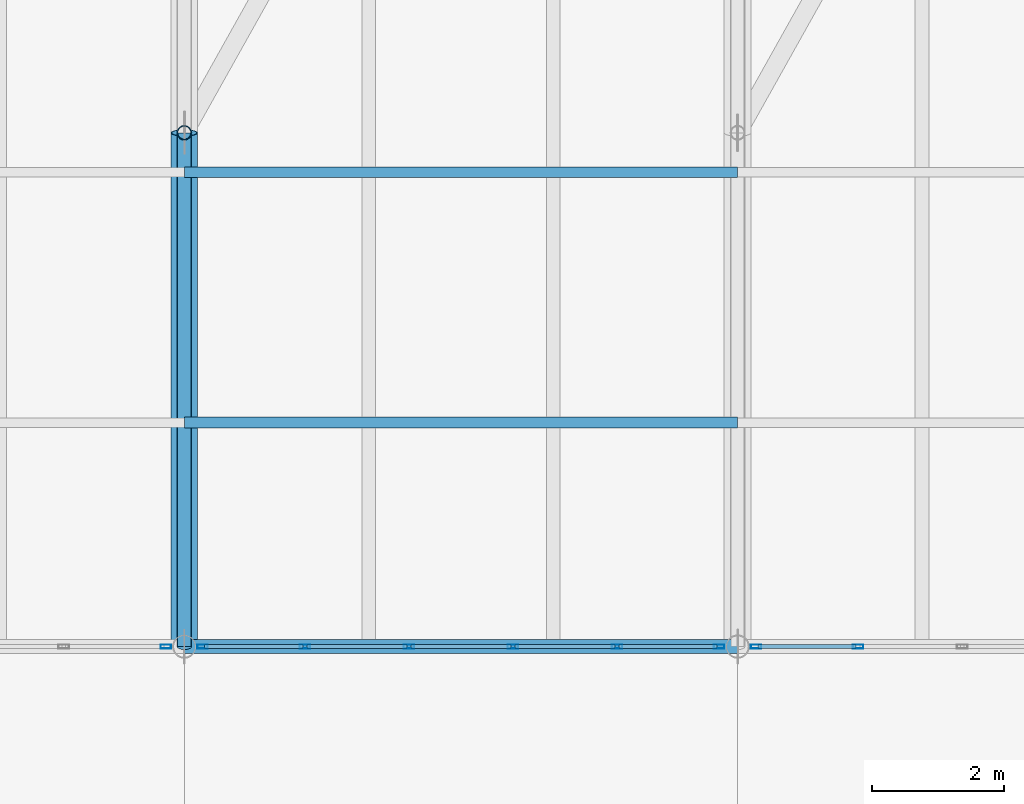
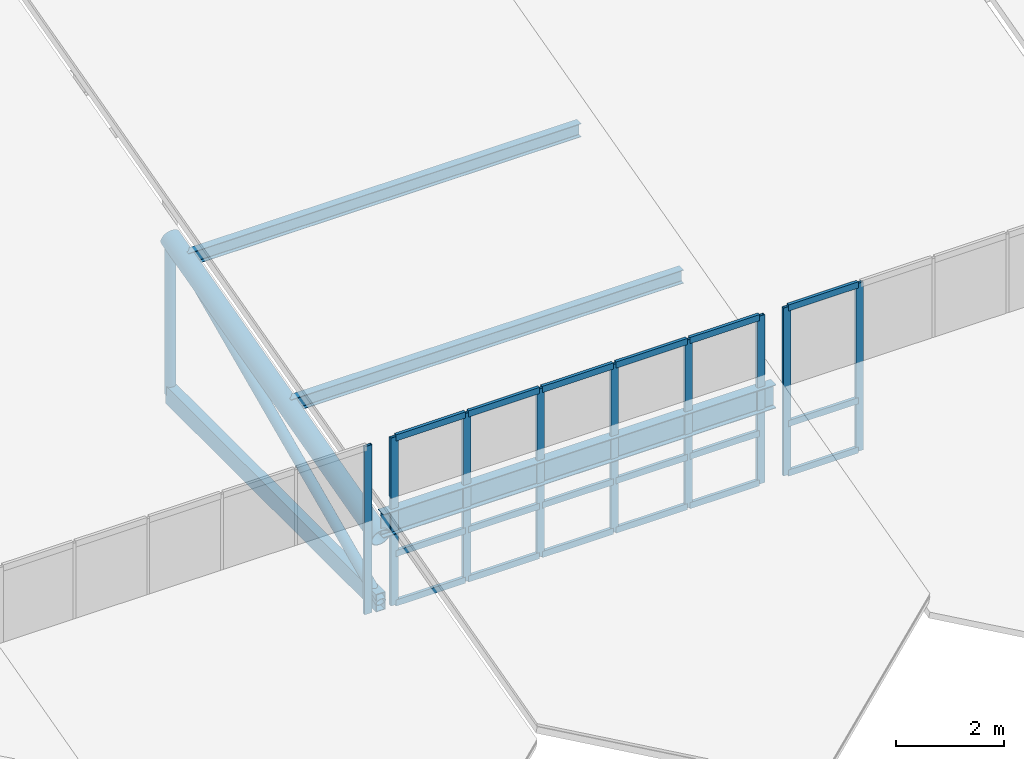
# One storey, part 9 of 43: 33 members, 1 beam, 3 elements without a shape of their own.
"""IFC4 building model written with IfcOpenShell, lengths in metres."""

import ifcopenshell
import ifcopenshell.guid

model = None  # the IFC model being written
_history = None  # IfcOwnerHistory: only IFC2X3 demands one
_inside = {}  # id of a spatial element -> (the spatial element, [elements in it])
_under = {}  # id of a project, library or spatial element -> (it, [spatial elements below it])
_declared = {}  # id of a project -> (the project, [libraries it declares])
_typed = {}  # id of a type object -> (the type object, [elements of that type])
_made_of = {}  # id of a material, layer set ... -> (it, [elements and type objects made of it])


def new_model(schema):
    """Start an empty IFC model of exactly this schema.

    Asked for "IFC4X3", IfcOpenShell would pick the latest addendum, in which some entities
    have other attributes; the version numbers below select the first issue.
    IFC2X3 requires an IfcOwnerHistory on every rooted entity: one is made here for all.
    """
    global model, _history
    if schema == "IFC4X3":
        model = ifcopenshell.file(schema_version=(4, 3, 0, 0))
    else:
        model = ifcopenshell.file(schema=schema)
    _inside.clear()
    _under.clear()
    _declared.clear()
    _typed.clear()
    _made_of.clear()
    _history = None
    if model.schema == "IFC2X3":
        org = make("IfcOrganization", Name="unknown")
        user = make(
            "IfcPersonAndOrganization",
            ThePerson=make("IfcPerson", FamilyName="unknown"),
            TheOrganization=org,
        )
        app = make(
            "IfcApplication",
            ApplicationDeveloper=org,
            Version="unknown",
            ApplicationFullName="unknown",
            ApplicationIdentifier="unknown",
        )
        _history = make(
            "IfcOwnerHistory",
            OwningUser=user,
            OwningApplication=app,
            ChangeAction="ADDED",
            CreationDate=0,
        )
    return model


def make(cls, **values):
    """One entity of the class cls with the attributes given. An attribute that is None is left unset."""
    return model.create_entity(
        cls, **{name: value for name, value in values.items() if value is not None}
    )


def rooted(cls, **values):
    """An entity with a GlobalId (a new one), such as an element, a storey or a relation."""
    return make(cls, GlobalId=ifcopenshell.guid.new(), OwnerHistory=_history, **values)


def si_unit(unit_type, name, prefix=None):
    """IfcSIUnit, for example si_unit("LENGTHUNIT", "METRE", prefix="MILLI")."""
    return make("IfcSIUnit", UnitType=unit_type, Prefix=prefix, Name=name)


def assignment(units):
    """IfcUnitAssignment: the units of a project."""
    return None if units is None else make("IfcUnitAssignment", Units=units)


def point(xyz):
    """IfcCartesianPoint."""
    return None if xyz is None else make("IfcCartesianPoint", Coordinates=xyz)


def direction(xyz):
    """IfcDirection."""
    return None if xyz is None else make("IfcDirection", DirectionRatios=xyz)


def frame(location, z_axis=None, x_axis=None):
    """IfcAxis2Placement3D, a coordinate frame: its origin and axes. An axis left out is left unset."""
    return make(
        "IfcAxis2Placement3D",
        Location=point(location),
        Axis=direction(z_axis),
        RefDirection=direction(x_axis),
    )


def frame_2d(location, x_axis=None):
    """IfcAxis2Placement2D, a coordinate frame in the plane: its origin and x axis."""
    return make(
        "IfcAxis2Placement2D", Location=point(location), RefDirection=direction(x_axis)
    )


def origin():
    """The frame at (0, 0, 0) with its axes left unset."""
    return frame((0.0, 0.0, 0.0))


def origin_2d():
    """The frame at (0, 0) in the plane with its x axis left unset."""
    return frame_2d((0.0, 0.0))


def place(relative_to, where):
    """IfcLocalPlacement: puts the frame where relative to a parent placement (None: the world)."""
    return make(
        "IfcLocalPlacement", PlacementRelTo=relative_to, RelativePlacement=where
    )


def context(
    kind, dimensions, precision=None, world=None, true_north=None, identifier=None
):
    """IfcGeometricRepresentationContext, for example the 3D "Model" context."""
    return make(
        "IfcGeometricRepresentationContext",
        ContextIdentifier=identifier,
        ContextType=kind,
        CoordinateSpaceDimension=dimensions,
        Precision=precision,
        WorldCoordinateSystem=world,
        TrueNorth=true_north,
    )


def subcontext(parent, identifier, kind, view, scale=None):
    """IfcGeometricRepresentationSubContext, for example "Body" below "Model"."""
    return make(
        "IfcGeometricRepresentationSubContext",
        ContextIdentifier=identifier,
        ContextType=kind,
        ParentContext=parent,
        TargetScale=scale,
        TargetView=view,
    )


def project(units=None, contexts=None):
    """IfcProject with its units and contexts."""
    return rooted(
        "IfcProject",
        Name="project",
        RepresentationContexts=contexts,
        UnitsInContext=assignment(units),
    )


def spatial(cls, under=None, at=None, **own):
    """A site, building, storey or space (cls), placed at a placement, below another one or the project."""
    s = rooted(cls, ObjectPlacement=at, **own)
    if under is not None:
        _under.setdefault(under.id(), (under, []))[1].append(s)
    return s


def profile(cls, at=None, kind="AREA", **sizes):
    """A parametric profile (cls). Its sizes go by their IFC names, for example OverallWidth=200.0."""
    return make(cls, ProfileType=kind, Position=at, **sizes)


def hollow_rectangle(**sizes):
    """IfcRectangleHollowProfileDef."""
    return profile("IfcRectangleHollowProfileDef", **sizes)


def hollow_circle(**sizes):
    """IfcCircleHollowProfileDef."""
    return profile("IfcCircleHollowProfileDef", **sizes)


def i_section(**sizes):
    """IfcIShapeProfileDef."""
    return profile("IfcIShapeProfileDef", **sizes)


def extrude(swept, where, along, depth):
    """IfcExtrudedAreaSolid: the profile swept, set in the frame where, extruded along a direction by depth."""
    return make(
        "IfcExtrudedAreaSolid",
        SweptArea=swept,
        Position=where,
        ExtrudedDirection=direction(along),
        Depth=depth,
    )


def shape(context_of_items, identifier, shape_type, items):
    """IfcShapeRepresentation: the items that make up one representation, for example the "Body"."""
    return make(
        "IfcShapeRepresentation",
        ContextOfItems=context_of_items,
        RepresentationIdentifier=identifier,
        RepresentationType=shape_type,
        Items=items,
    )


def material(Name=None, Category=None):
    """IfcMaterial."""
    return make("IfcMaterial", Name=Name, Category=Category)


def layer(
    of_material, thickness, ventilated=None, Name=None, Category=None, Priority=None
):
    """IfcMaterialLayer: one layer of a wall or slab, of a material (None: an air gap)."""
    return make(
        "IfcMaterialLayer",
        Material=of_material,
        LayerThickness=thickness,
        IsVentilated=ventilated,
        Name=Name,
        Category=Category,
        Priority=Priority,
    )


def layer_set(layers, Name=None):
    """IfcMaterialLayerSet."""
    return make("IfcMaterialLayerSet", MaterialLayers=layers, LayerSetName=Name)


def material_profile(
    of_material, cross_section, Name=None, Category=None, Priority=None
):
    """IfcMaterialProfile: a cross section and its material."""
    return make(
        "IfcMaterialProfile",
        Name=Name,
        Material=of_material,
        Profile=cross_section,
        Priority=Priority,
        Category=Category,
    )


def profile_set(profiles, Name=None, composite=None):
    """IfcMaterialProfileSet."""
    return make(
        "IfcMaterialProfileSet",
        Name=Name,
        MaterialProfiles=profiles,
        CompositeProfile=composite,
    )


def made_of(thing, what):
    """Note that an element or type object is made of a material, layer set ...; save() writes the relation."""
    if what is not None:
        _made_of.setdefault(what.id(), (what, []))[1].append(thing)
    return thing


def type_object(cls, material=None, **own):
    """A type object (cls), such as IfcWallType, which elements share."""
    return made_of(rooted(cls, **own), material)


def element(
    cls,
    number,
    at=None,
    inside=None,
    cuts=None,
    type_object=None,
    material=None,
    context=None,
    identifier="Body",
    shape_type=None,
    held_by="IfcProductDefinitionShape",
    body=None,
    shapes=None,
    **own,
):
    """One element of the class cls, such as IfcWall. Its Tag is "e" and its number.

    at: its placement. inside: the storey or other place that contains it. cuts: it is an
    opening in that element (IfcRelVoidsElement). A single representation is given by context,
    identifier, shape_type and body (its items); several are given by shapes. held_by: the class
    of the entity that holds the representations. save() writes the other relations.
    """
    e = rooted(cls, Tag="e%d" % number, ObjectPlacement=at, **own)
    if body is not None:
        shapes = [shape(context, identifier, shape_type, body)]
    if shapes is not None:
        e.Representation = make(held_by, Representations=shapes)
    if inside is not None:
        _inside.setdefault(inside.id(), (inside, []))[1].append(e)
    if cuts is not None:
        rooted(
            "IfcRelVoidsElement", RelatingBuildingElement=cuts, RelatedOpeningElement=e
        )
    if type_object is not None:
        _typed.setdefault(type_object.id(), (type_object, []))[1].append(e)
    return made_of(e, material)


def aggregate(whole, parts):
    """IfcRelAggregates: a whole, such as a stair, and the parts it consists of."""
    return rooted("IfcRelAggregates", RelatingObject=whole, RelatedObjects=parts)


def save(model, path):
    """Write the relations noted so far, then the file.

    IfcRelAggregates (storeys below a building ...), IfcRelContainedInSpatialStructure (elements
    in a storey), IfcRelDefinesByType, IfcRelAssociatesMaterial and IfcRelDeclares: one each for
    every whole, place, type object, material and project.
    """
    for whole, parts in _under.values():
        aggregate(whole, parts)
    for where, things in _inside.values():
        rooted(
            "IfcRelContainedInSpatialStructure",
            RelatedElements=things,
            RelatingStructure=where,
        )
    for kind, things in _typed.values():
        rooted("IfcRelDefinesByType", RelatedObjects=things, RelatingType=kind)
    for what, things in _made_of.values():
        rooted("IfcRelAssociatesMaterial", RelatedObjects=things, RelatingMaterial=what)
    for by, libraries in _declared.values():
        rooted("IfcRelDeclares", RelatingContext=by, RelatedDefinitions=libraries)
    model.write(path)


model = new_model("IFC4")

# Units and contexts
model_context = context("Model", 3, precision=1e-05, world=origin(), true_north=direction((0.0, 1.0)))
body_context = subcontext(model_context, "Body", "Model", "MODEL_VIEW")
ifc_project = project(units=[si_unit("LENGTHUNIT", "METRE"), si_unit("AREAUNIT", "SQUARE_METRE"), si_unit("VOLUMEUNIT", "CUBIC_METRE"), si_unit("PLANEANGLEUNIT", "RADIAN"), si_unit("MASSUNIT", "GRAM", prefix="KILO")], contexts=[model_context])

# Site, building, storey
site_placement = place(None, origin())
site = spatial("IfcSite", under=ifc_project, at=site_placement, CompositionType="ELEMENT")
building_placement = place(site_placement, origin())
building = spatial("IfcBuilding", under=site, at=building_placement, Name="Selat Folded Stagehouse", CompositionType="ELEMENT")
storey_placement = place(building_placement, frame((0.0, 0.0, 32.39990234375)))
storey = spatial("IfcBuildingStorey", under=building, at=storey_placement, Name="RF", CompositionType="ELEMENT", Elevation=32.39990234375)

# Beam
ifc_material_1 = material(Name="Steel S355", Category="steel")
ifc_material_profile_1 = material_profile(ifc_material_1, i_section(OverallWidth=0.209228515625, OverallDepth=0.533203125, WebThickness=0.010009765625, FlangeThickness=0.015625, FilletRadius=0.0126953125, at=origin_2d()), Name="UKB 533x210x92")
ifc_profile_set_1 = profile_set([ifc_material_profile_1], Name="Steel S355")
beam_type = type_object("IfcBeamType", Name="BM-GIRD-533x210x92", PredefinedType="BEAM", material=ifc_profile_set_1)
beam_placement = place(storey_placement, frame((25.199951171875, 23.39990234375, 1.9208984375), z_axis=(1.0, 0.0, 0.0), x_axis=(0.0, 1.0, 0.0)))
element("IfcBeam", 1, at=beam_placement, inside=storey, type_object=beam_type, Name="RF bay 3 S roof bearer beam", PredefinedType="BEAM", context=body_context, shape_type="SweptSolid", body=[
    extrude(i_section(OverallWidth=0.209228515625, OverallDepth=0.533203125, WebThickness=0.010009765625, FlangeThickness=0.015625, FilletRadius=0.0126953125, at=origin_2d()), origin(), (0.0, 0.0, 1.0), 8.400146484375),
])

# Curtain wall, member
ifc_material_2 = material(Name="Aluminium 6063-T6", Category="aluminium")
ifc_layer = layer(ifc_material_2, 0.169921875)
ifc_layer_set = layer_set([ifc_layer], Name="Aluminium 6063-T6")
curtain_wall_type = type_object("IfcCurtainWallType", Name="CW-CRN-CLER", PredefinedType="NOTDEFINED", material=ifc_layer_set)
curtain_wall_1_placement = place(storey_placement, origin())
curtain_wall_1 = element("IfcCurtainWall", 2, at=curtain_wall_1_placement, inside=storey, type_object=curtain_wall_type, Name="RF curtain wall CW-RF-S-01", PredefinedType="NOTDEFINED")
ifc_material_profile_2 = material_profile(ifc_material_2, hollow_rectangle(XDim=0.06005859375, YDim=0.159912109375, WallThickness=0.00390625, at=origin_2d()), Name="ALU 160x60x4.0")
ifc_profile_set_2 = profile_set([ifc_material_profile_2], Name="Aluminium 6063-T6")
member_type_1 = type_object("IfcMemberType", Name="CWM-MUL-160x60", PredefinedType="MULLION", material=ifc_profile_set_2)
member_1_placement = place(storey_placement, frame((24.919921875, 23.39990234375, 0.0), z_axis=(0.0, 0.0, 1.0), x_axis=(0.0, -1.0, 0.0)))
member_1 = element("IfcMember", 3, at=member_1_placement, type_object=member_type_1, Name="CW-09 mullion 1", PredefinedType="MULLION", context=body_context, shape_type="SweptSolid", body=[
    extrude(hollow_rectangle(XDim=0.06005859375, YDim=0.159912109375, WallThickness=0.00390625, at=origin_2d()), origin(), (0.0, 0.0, 1.0), 3.800048828125),
])
aggregate(curtain_wall_1, [member_1])

# Curtain wall, members
curtain_wall_2_placement = place(storey_placement, origin())
curtain_wall_2 = element("IfcCurtainWall", 4, at=curtain_wall_2_placement, inside=storey, type_object=curtain_wall_type, Name="RF curtain wall CW-RF-S-02", PredefinedType="NOTDEFINED")
member_2_placement = place(storey_placement, frame((33.320068359375, 23.39990234375, 0.0), z_axis=(0.0, 0.0, 1.0), x_axis=(0.0, -1.0, 0.0)))
member_2 = element("IfcMember", 5, at=member_2_placement, type_object=member_type_1, Name="CW-09 mullion 1", PredefinedType="MULLION", context=body_context, shape_type="SweptSolid", body=[
    extrude(hollow_rectangle(XDim=0.06005859375, YDim=0.159912109375, WallThickness=0.00390625, at=origin_2d()), origin(), (0.0, 0.0, 1.0), 3.800048828125),
])
member_3_placement = place(storey_placement, frame((31.77001953125, 23.39990234375, 0.0), z_axis=(0.0, 0.0, 1.0), x_axis=(0.0, -1.0, 0.0)))
member_3 = element("IfcMember", 6, at=member_3_placement, type_object=member_type_1, Name="CW-09 mullion 2", PredefinedType="MULLION", context=body_context, shape_type="SweptSolid", body=[
    extrude(hollow_rectangle(XDim=0.06005859375, YDim=0.159912109375, WallThickness=0.00390625, at=origin_2d()), origin(), (0.0, 0.0, 1.0), 3.800048828125),
])
member_4_placement = place(storey_placement, frame((30.18994140625, 23.39990234375, 0.0), z_axis=(0.0, 0.0, 1.0), x_axis=(0.0, -1.0, 0.0)))
member_4 = element("IfcMember", 7, at=member_4_placement, type_object=member_type_1, Name="CW-09 mullion 3", PredefinedType="MULLION", context=body_context, shape_type="SweptSolid", body=[
    extrude(hollow_rectangle(XDim=0.06005859375, YDim=0.159912109375, WallThickness=0.00390625, at=origin_2d()), origin(), (0.0, 0.0, 1.0), 3.800048828125),
])
member_5_placement = place(storey_placement, frame((28.610107421875, 23.39990234375, 0.0), z_axis=(0.0, 0.0, 1.0), x_axis=(0.0, -1.0, 0.0)))
member_5 = element("IfcMember", 8, at=member_5_placement, type_object=member_type_1, Name="CW-09 mullion 4", PredefinedType="MULLION", context=body_context, shape_type="SweptSolid", body=[
    extrude(hollow_rectangle(XDim=0.06005859375, YDim=0.159912109375, WallThickness=0.00390625, at=origin_2d()), origin(), (0.0, 0.0, 1.0), 3.800048828125),
])
member_6_placement = place(storey_placement, frame((27.030029296875, 23.39990234375, 0.0), z_axis=(0.0, 0.0, 1.0), x_axis=(0.0, -1.0, 0.0)))
member_6 = element("IfcMember", 9, at=member_6_placement, type_object=member_type_1, Name="CW-09 mullion 5", PredefinedType="MULLION", context=body_context, shape_type="SweptSolid", body=[
    extrude(hollow_rectangle(XDim=0.06005859375, YDim=0.159912109375, WallThickness=0.00390625, at=origin_2d()), origin(), (0.0, 0.0, 1.0), 3.800048828125),
])
member_7_placement = place(storey_placement, frame((25.47998046875, 23.39990234375, 0.0), z_axis=(0.0, 0.0, 1.0), x_axis=(0.0, -1.0, 0.0)))
member_7 = element("IfcMember", 10, at=member_7_placement, type_object=member_type_1, Name="CW-09 mullion 6", PredefinedType="MULLION", context=body_context, shape_type="SweptSolid", body=[
    extrude(hollow_rectangle(XDim=0.06005859375, YDim=0.159912109375, WallThickness=0.00390625, at=origin_2d()), origin(), (0.0, 0.0, 1.0), 3.800048828125),
])

curtain_wall_3_placement = place(storey_placement, origin())
curtain_wall_3 = element("IfcCurtainWall", 11, at=curtain_wall_3_placement, inside=storey, type_object=curtain_wall_type, Name="RF curtain wall CW-RF-S-03", PredefinedType="NOTDEFINED")
member_8_placement = place(storey_placement, frame((35.429931640625, 23.39990234375, 0.0), z_axis=(0.0, 0.0, 1.0), x_axis=(0.0, -1.0, 0.0)))
member_8 = element("IfcMember", 12, at=member_8_placement, type_object=member_type_1, Name="CW-09 mullion 5", PredefinedType="MULLION", context=body_context, shape_type="SweptSolid", body=[
    extrude(hollow_rectangle(XDim=0.06005859375, YDim=0.159912109375, WallThickness=0.00390625, at=origin_2d()), origin(), (0.0, 0.0, 1.0), 3.800048828125),
])
member_9_placement = place(storey_placement, frame((33.8798828125, 23.39990234375, 0.0), z_axis=(0.0, 0.0, 1.0), x_axis=(0.0, -1.0, 0.0)))
member_9 = element("IfcMember", 13, at=member_9_placement, type_object=member_type_1, Name="CW-09 mullion 6", PredefinedType="MULLION", context=body_context, shape_type="SweptSolid", body=[
    extrude(hollow_rectangle(XDim=0.06005859375, YDim=0.159912109375, WallThickness=0.00390625, at=origin_2d()), origin(), (0.0, 0.0, 1.0), 3.800048828125),
])

# Member
ifc_material_profile_3 = material_profile(ifc_material_2, hollow_rectangle(XDim=0.06494140625, YDim=0.139892578125, WallThickness=0.00390625, at=origin_2d()), Name="ALU 140x65x4.0")
ifc_profile_set_3 = profile_set([ifc_material_profile_3], Name="Aluminium 6063-T6")
member_type_2 = type_object("IfcMemberType", Name="CWM-TRN-140x65", PredefinedType="USERDEFINED", material=ifc_profile_set_3)
member_10_placement = place(storey_placement, frame((33.2900390625, 23.39990234375, 0.03271484375), z_axis=(-1.0, 0.0, 0.0), x_axis=(0.0, -1.0, 0.0)))
member_10 = element("IfcMember", 14, at=member_10_placement, type_object=member_type_2, Name="CW-09 transom 1.1", ObjectType="TRANSOM", PredefinedType="USERDEFINED", context=body_context, shape_type="SweptSolid", body=[
    extrude(hollow_rectangle(XDim=0.06494140625, YDim=0.139892578125, WallThickness=0.00390625, at=origin_2d()), origin(), (0.0, 0.0, 1.0), 1.489990234375),
])

member_11_placement = place(storey_placement, frame((33.2900390625, 23.39990234375, 1.150146484375), z_axis=(-1.0, 0.0, 0.0), x_axis=(0.0, -1.0, 0.0)))
member_11 = element("IfcMember", 15, at=member_11_placement, type_object=member_type_2, Name="CW-09 transom 1.2", ObjectType="TRANSOM", PredefinedType="USERDEFINED", context=body_context, shape_type="SweptSolid", body=[
    extrude(hollow_rectangle(XDim=0.06494140625, YDim=0.139892578125, WallThickness=0.00390625, at=origin_2d()), origin(), (0.0, 0.0, 1.0), 1.489990234375),
])

member_12_placement = place(storey_placement, frame((33.2900390625, 23.39990234375, 3.767578125), z_axis=(-1.0, 0.0, 0.0), x_axis=(0.0, -1.0, 0.0)))
member_12 = element("IfcMember", 16, at=member_12_placement, type_object=member_type_2, Name="CW-09 transom 1.3", ObjectType="TRANSOM", PredefinedType="USERDEFINED", context=body_context, shape_type="SweptSolid", body=[
    extrude(hollow_rectangle(XDim=0.06494140625, YDim=0.139892578125, WallThickness=0.00390625, at=origin_2d()), origin(), (0.0, 0.0, 1.0), 1.489990234375),
])

member_13_placement = place(storey_placement, frame((31.739990234375, 23.39990234375, 0.03271484375), z_axis=(-1.0, 0.0, 0.0), x_axis=(0.0, -1.0, 0.0)))
member_13 = element("IfcMember", 17, at=member_13_placement, type_object=member_type_2, Name="CW-09 transom 2.1", ObjectType="TRANSOM", PredefinedType="USERDEFINED", context=body_context, shape_type="SweptSolid", body=[
    extrude(hollow_rectangle(XDim=0.06494140625, YDim=0.139892578125, WallThickness=0.00390625, at=origin_2d()), origin(), (0.0, 0.0, 1.0), 1.52001953125),
])

member_14_placement = place(storey_placement, frame((31.739990234375, 23.39990234375, 1.150146484375), z_axis=(-1.0, 0.0, 0.0), x_axis=(0.0, -1.0, 0.0)))
member_14 = element("IfcMember", 18, at=member_14_placement, type_object=member_type_2, Name="CW-09 transom 2.2", ObjectType="TRANSOM", PredefinedType="USERDEFINED", context=body_context, shape_type="SweptSolid", body=[
    extrude(hollow_rectangle(XDim=0.06494140625, YDim=0.139892578125, WallThickness=0.00390625, at=origin_2d()), origin(), (0.0, 0.0, 1.0), 1.52001953125),
])

member_15_placement = place(storey_placement, frame((31.739990234375, 23.39990234375, 3.767578125), z_axis=(-1.0, 0.0, 0.0), x_axis=(0.0, -1.0, 0.0)))
member_15 = element("IfcMember", 19, at=member_15_placement, type_object=member_type_2, Name="CW-09 transom 2.3", ObjectType="TRANSOM", PredefinedType="USERDEFINED", context=body_context, shape_type="SweptSolid", body=[
    extrude(hollow_rectangle(XDim=0.06494140625, YDim=0.139892578125, WallThickness=0.00390625, at=origin_2d()), origin(), (0.0, 0.0, 1.0), 1.52001953125),
])

member_16_placement = place(storey_placement, frame((30.159912109375, 23.39990234375, 0.03271484375), z_axis=(-1.0, 0.0, 0.0), x_axis=(0.0, -1.0, 0.0)))
member_16 = element("IfcMember", 20, at=member_16_placement, type_object=member_type_2, Name="CW-09 transom 3.1", ObjectType="TRANSOM", PredefinedType="USERDEFINED", context=body_context, shape_type="SweptSolid", body=[
    extrude(hollow_rectangle(XDim=0.06494140625, YDim=0.139892578125, WallThickness=0.00390625, at=origin_2d()), origin(), (0.0, 0.0, 1.0), 1.52001953125),
])

member_17_placement = place(storey_placement, frame((30.159912109375, 23.39990234375, 1.150146484375), z_axis=(-1.0, 0.0, 0.0), x_axis=(0.0, -1.0, 0.0)))
member_17 = element("IfcMember", 21, at=member_17_placement, type_object=member_type_2, Name="CW-09 transom 3.2", ObjectType="TRANSOM", PredefinedType="USERDEFINED", context=body_context, shape_type="SweptSolid", body=[
    extrude(hollow_rectangle(XDim=0.06494140625, YDim=0.139892578125, WallThickness=0.00390625, at=origin_2d()), origin(), (0.0, 0.0, 1.0), 1.52001953125),
])

member_18_placement = place(storey_placement, frame((30.159912109375, 23.39990234375, 3.767578125), z_axis=(-1.0, 0.0, 0.0), x_axis=(0.0, -1.0, 0.0)))
member_18 = element("IfcMember", 22, at=member_18_placement, type_object=member_type_2, Name="CW-09 transom 3.3", ObjectType="TRANSOM", PredefinedType="USERDEFINED", context=body_context, shape_type="SweptSolid", body=[
    extrude(hollow_rectangle(XDim=0.06494140625, YDim=0.139892578125, WallThickness=0.00390625, at=origin_2d()), origin(), (0.0, 0.0, 1.0), 1.52001953125),
])

member_19_placement = place(storey_placement, frame((28.580078125, 23.39990234375, 0.03271484375), z_axis=(-1.0, 0.0, 0.0), x_axis=(0.0, -1.0, 0.0)))
member_19 = element("IfcMember", 23, at=member_19_placement, type_object=member_type_2, Name="CW-09 transom 4.1", ObjectType="TRANSOM", PredefinedType="USERDEFINED", context=body_context, shape_type="SweptSolid", body=[
    extrude(hollow_rectangle(XDim=0.06494140625, YDim=0.139892578125, WallThickness=0.00390625, at=origin_2d()), origin(), (0.0, 0.0, 1.0), 1.52001953125),
])

member_20_placement = place(storey_placement, frame((28.580078125, 23.39990234375, 1.150146484375), z_axis=(-1.0, 0.0, 0.0), x_axis=(0.0, -1.0, 0.0)))
member_20 = element("IfcMember", 24, at=member_20_placement, type_object=member_type_2, Name="CW-09 transom 4.2", ObjectType="TRANSOM", PredefinedType="USERDEFINED", context=body_context, shape_type="SweptSolid", body=[
    extrude(hollow_rectangle(XDim=0.06494140625, YDim=0.139892578125, WallThickness=0.00390625, at=origin_2d()), origin(), (0.0, 0.0, 1.0), 1.52001953125),
])

member_21_placement = place(storey_placement, frame((28.580078125, 23.39990234375, 3.767578125), z_axis=(-1.0, 0.0, 0.0), x_axis=(0.0, -1.0, 0.0)))
member_21 = element("IfcMember", 25, at=member_21_placement, type_object=member_type_2, Name="CW-09 transom 4.3", ObjectType="TRANSOM", PredefinedType="USERDEFINED", context=body_context, shape_type="SweptSolid", body=[
    extrude(hollow_rectangle(XDim=0.06494140625, YDim=0.139892578125, WallThickness=0.00390625, at=origin_2d()), origin(), (0.0, 0.0, 1.0), 1.52001953125),
])

member_22_placement = place(storey_placement, frame((27.0, 23.39990234375, 0.03271484375), z_axis=(-1.0, 0.0, 0.0), x_axis=(0.0, -1.0, 0.0)))
member_22 = element("IfcMember", 26, at=member_22_placement, type_object=member_type_2, Name="CW-09 transom 5.1", ObjectType="TRANSOM", PredefinedType="USERDEFINED", context=body_context, shape_type="SweptSolid", body=[
    extrude(hollow_rectangle(XDim=0.06494140625, YDim=0.139892578125, WallThickness=0.00390625, at=origin_2d()), origin(), (0.0, 0.0, 1.0), 1.489990234375),
])

member_23_placement = place(storey_placement, frame((27.0, 23.39990234375, 1.150146484375), z_axis=(-1.0, 0.0, 0.0), x_axis=(0.0, -1.0, 0.0)))
member_23 = element("IfcMember", 27, at=member_23_placement, type_object=member_type_2, Name="CW-09 transom 5.2", ObjectType="TRANSOM", PredefinedType="USERDEFINED", context=body_context, shape_type="SweptSolid", body=[
    extrude(hollow_rectangle(XDim=0.06494140625, YDim=0.139892578125, WallThickness=0.00390625, at=origin_2d()), origin(), (0.0, 0.0, 1.0), 1.489990234375),
])

member_24_placement = place(storey_placement, frame((27.0, 23.39990234375, 3.767578125), z_axis=(-1.0, 0.0, 0.0), x_axis=(0.0, -1.0, 0.0)))
member_24 = element("IfcMember", 28, at=member_24_placement, type_object=member_type_2, Name="CW-09 transom 5.3", ObjectType="TRANSOM", PredefinedType="USERDEFINED", context=body_context, shape_type="SweptSolid", body=[
    extrude(hollow_rectangle(XDim=0.06494140625, YDim=0.139892578125, WallThickness=0.00390625, at=origin_2d()), origin(), (0.0, 0.0, 1.0), 1.489990234375),
])

aggregate(curtain_wall_2, [member_2, member_3, member_4, member_5, member_6, member_7, member_10, member_11, member_12, member_13, member_14, member_15, member_16, member_17, member_18, member_19, member_20, member_21, member_22, member_23, member_24])

member_25_placement = place(storey_placement, frame((35.39990234375, 23.39990234375, 0.03271484375), z_axis=(-1.0, 0.0, 0.0), x_axis=(0.0, -1.0, 0.0)))
member_25 = element("IfcMember", 29, at=member_25_placement, type_object=member_type_2, Name="CW-09 transom 5.1", ObjectType="TRANSOM", PredefinedType="USERDEFINED", context=body_context, shape_type="SweptSolid", body=[
    extrude(hollow_rectangle(XDim=0.06494140625, YDim=0.139892578125, WallThickness=0.00390625, at=origin_2d()), origin(), (0.0, 0.0, 1.0), 1.489990234375),
])

member_26_placement = place(storey_placement, frame((35.39990234375, 23.39990234375, 1.150146484375), z_axis=(-1.0, 0.0, 0.0), x_axis=(0.0, -1.0, 0.0)))
member_26 = element("IfcMember", 30, at=member_26_placement, type_object=member_type_2, Name="CW-09 transom 5.2", ObjectType="TRANSOM", PredefinedType="USERDEFINED", context=body_context, shape_type="SweptSolid", body=[
    extrude(hollow_rectangle(XDim=0.06494140625, YDim=0.139892578125, WallThickness=0.00390625, at=origin_2d()), origin(), (0.0, 0.0, 1.0), 1.489990234375),
])

member_27_placement = place(storey_placement, frame((35.39990234375, 23.39990234375, 3.767578125), z_axis=(-1.0, 0.0, 0.0), x_axis=(0.0, -1.0, 0.0)))
member_27 = element("IfcMember", 31, at=member_27_placement, type_object=member_type_2, Name="CW-09 transom 5.3", ObjectType="TRANSOM", PredefinedType="USERDEFINED", context=body_context, shape_type="SweptSolid", body=[
    extrude(hollow_rectangle(XDim=0.06494140625, YDim=0.139892578125, WallThickness=0.00390625, at=origin_2d()), origin(), (0.0, 0.0, 1.0), 1.489990234375),
])

aggregate(curtain_wall_3, [member_8, member_9, member_25, member_26, member_27])

# Members
ifc_material_profile_4 = material_profile(ifc_material_1, hollow_circle(Radius=0.109619140625, WallThickness=0.010009765625, at=origin_2d()), Name="CHS 219.1x10.0")
ifc_profile_set_4 = profile_set([ifc_material_profile_4], Name="Steel S355")
member_type_3 = type_object("IfcMemberType", Name="MEM-BRACE-CHS219", PredefinedType="BRACE", material=ifc_profile_set_4)
member_28_placement = place(storey_placement, frame((25.199951171875, 23.39990234375, 0.150146484375), z_axis=(0.0, 0.91168696029, 0.410885490664), x_axis=(-1.0, 0.0, 0.0)))
element("IfcMember", 32, at=member_28_placement, inside=storey, type_object=member_type_3, Name="Folded-plate web diagonal 3.1", PredefinedType="BRACE", context=body_context, shape_type="SweptSolid", body=[
    extrude(hollow_circle(Radius=0.109619140625, WallThickness=0.010009765625, at=origin_2d()), origin(), (0.0, 0.0, 1.0), 8.5556640625),
])
ifc_material_profile_5 = material_profile(ifc_material_1, hollow_circle(Radius=0.203125, WallThickness=0.01611328125, at=origin_2d()), Name="CHS 406.4x16.0")
ifc_profile_set_5 = profile_set([ifc_material_profile_5], Name="Steel S355")
member_type_4 = type_object("IfcMemberType", Name="MEM-CHORD-CHS406", PredefinedType="CHORD", material=ifc_profile_set_5)
member_29_placement = place(storey_placement, frame((25.199951171875, 23.39990234375, 1.605224609375), z_axis=(0.0, 0.966840500881, 0.255380981781), x_axis=(-1.0, 0.0, 0.0)))
element("IfcMember", 33, at=member_29_placement, inside=storey, type_object=member_type_4, Name="Folded-plate top chord 3.1", PredefinedType="CHORD", context=body_context, shape_type="SweptSolid", body=[
    extrude(hollow_circle(Radius=0.203125, WallThickness=0.01611328125, at=origin_2d()), origin(), (0.0, 0.0, 1.0), 8.067626953125),
])
ifc_material_profile_6 = material_profile(ifc_material_1, hollow_rectangle(XDim=0.199951171875, YDim=0.39990234375, WallThickness=0.012451171875, at=origin_2d()), Name="RHS 400x200x12.5")
ifc_profile_set_6 = profile_set([ifc_material_profile_6], Name="Steel S355")
member_type_5 = type_object("IfcMemberType", Name="MEM-CHORD-RHS400", PredefinedType="CHORD", material=ifc_profile_set_6)
member_30_placement = place(storey_placement, frame((25.199951171875, 23.39990234375, 0.150146484375), z_axis=(0.0, 1.0, 0.0), x_axis=(-1.0, 0.0, 0.0)))
element("IfcMember", 34, at=member_30_placement, inside=storey, type_object=member_type_5, Name="Folded-plate bottom tie 3.1", PredefinedType="CHORD", context=body_context, shape_type="SweptSolid", body=[
    extrude(hollow_rectangle(XDim=0.199951171875, YDim=0.39990234375, WallThickness=0.012451171875, at=origin_2d()), origin(), (0.0, 0.0, 1.0), 7.800048828125),
])
ifc_material_profile_7 = material_profile(ifc_material_1, hollow_circle(Radius=0.109619140625, WallThickness=0.010009765625, at=origin_2d()), Name="CHS 219.1x10.0")
ifc_profile_set_7 = profile_set([ifc_material_profile_7], Name="Steel S355")
member_type_6 = type_object("IfcMemberType", Name="MEM-POST-CHS219", PredefinedType="POST", material=ifc_profile_set_7)
member_31_placement = place(storey_placement, frame((25.199951171875, 31.199951171875, 0.150146484375), z_axis=(0.0, 0.0, 1.0), x_axis=(1.0, 0.0, 0.0)))
element("IfcMember", 35, at=member_31_placement, inside=storey, type_object=member_type_6, Name="Folded-plate truss post 3.1", PredefinedType="POST", context=body_context, shape_type="SweptSolid", body=[
    extrude(hollow_circle(Radius=0.109619140625, WallThickness=0.010009765625, at=origin_2d()), origin(), (0.0, 0.0, 1.0), 3.515380859375),
])
ifc_material_profile_8 = material_profile(ifc_material_1, i_section(OverallWidth=0.1650390625, OverallDepth=0.303466796875, WebThickness=0.006103515625, FlangeThickness=0.01025390625, FilletRadius=0.0087890625, at=origin_2d()), Name="UKB 305x165x40")
ifc_profile_set_8 = profile_set([ifc_material_profile_8], Name="Steel S355")
member_type_7 = type_object("IfcMemberType", Name="MEM-PURLIN-UKB305", PredefinedType="PURLIN", material=ifc_profile_set_8)
for number, where, z_axis, x_axis, name in (
    (36, (25.199951171875, 26.800048828125, 2.556640625), (1.0, 0.0, 0.0), (0.0, 1.0, 0.0), "Folded-plate roof purlin bay 3.1"),
    (37, (25.199951171875, 30.60009765625, 3.560302734375), (1.0, 0.0, 0.0), (0.0, 1.0, 0.0), "Folded-plate roof purlin bay 3.2"),
):
    element("IfcMember", number, at=place(storey_placement, frame(where, z_axis=z_axis, x_axis=x_axis)), inside=storey, type_object=member_type_7, Name=name, PredefinedType="PURLIN", context=body_context, shape_type="SweptSolid", body=[
        extrude(i_section(OverallWidth=0.1650390625, OverallDepth=0.303466796875, WebThickness=0.006103515625, FlangeThickness=0.01025390625, FilletRadius=0.0087890625, at=origin_2d()), origin(), (0.0, 0.0, 1.0), 8.400146484375),
    ])

save(model, "model.ifc")
